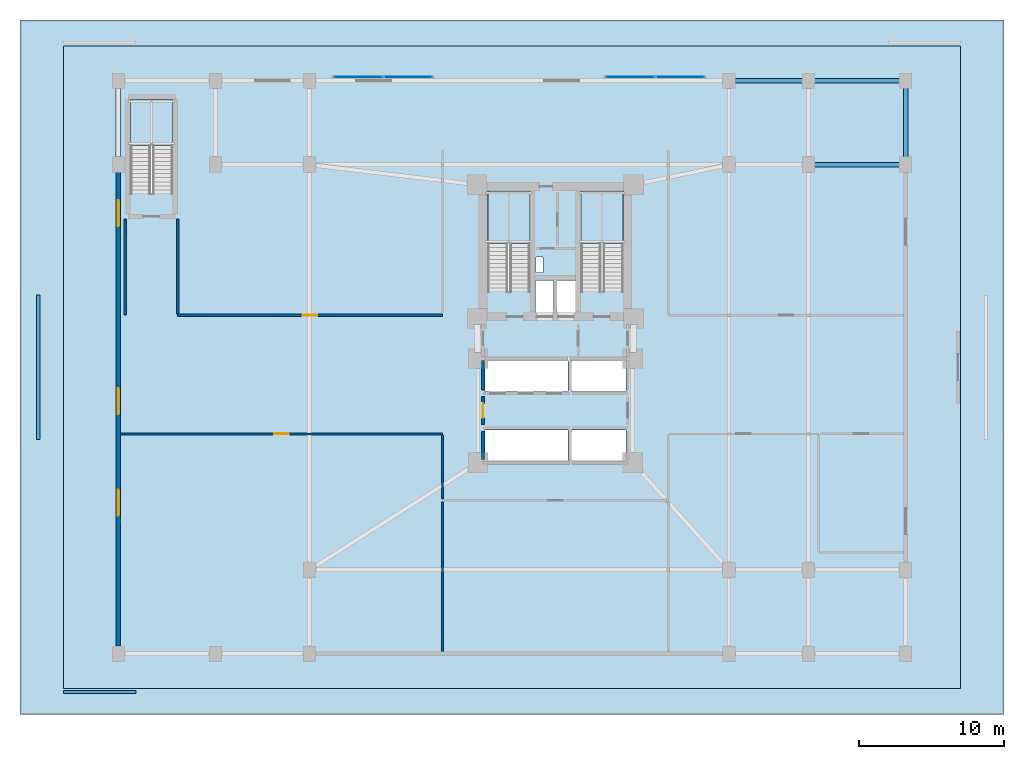
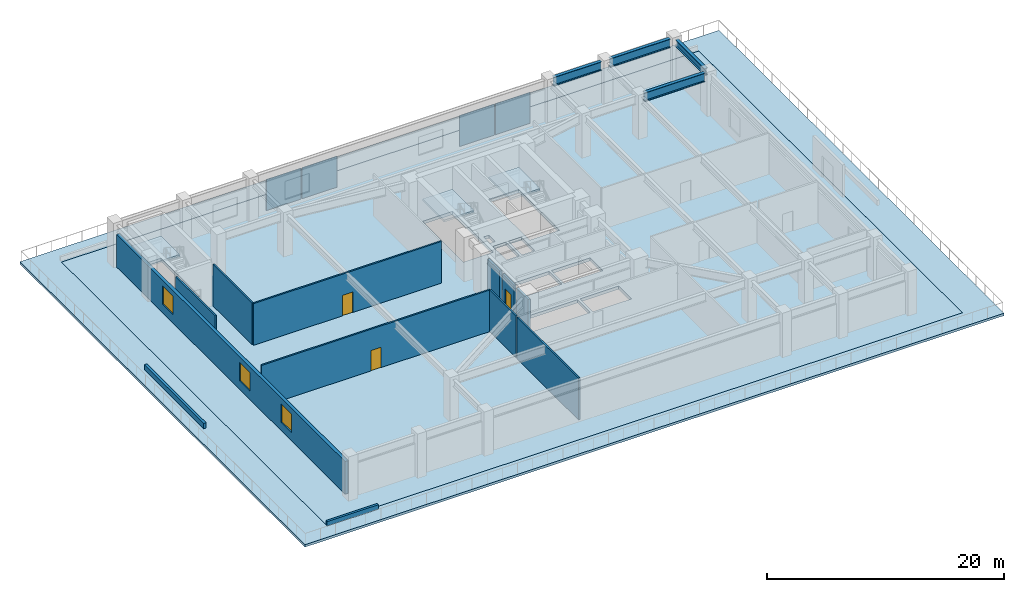
# One storey, part 5 of 10: 12 walls, 5 slabs, 4 beams, 4 plates, 3 doors, 3 windows, 6 openings, 5 elements without a shape of their own.
"""IFC4 building model written with IfcOpenShell, lengths in metres."""

import ifcopenshell
import ifcopenshell.guid

model = None  # the IFC model being written
_history = None  # IfcOwnerHistory: only IFC2X3 demands one
_inside = {}  # id of a spatial element -> (the spatial element, [elements in it])
_under = {}  # id of a project, library or spatial element -> (it, [spatial elements below it])
_declared = {}  # id of a project -> (the project, [libraries it declares])
_typed = {}  # id of a type object -> (the type object, [elements of that type])
_made_of = {}  # id of a material, layer set ... -> (it, [elements and type objects made of it])


def new_model(schema):
    """Start an empty IFC model of exactly this schema.

    Asked for "IFC4X3", IfcOpenShell would pick the latest addendum, in which some entities
    have other attributes; the version numbers below select the first issue.
    IFC2X3 requires an IfcOwnerHistory on every rooted entity: one is made here for all.
    """
    global model, _history
    if schema == "IFC4X3":
        model = ifcopenshell.file(schema_version=(4, 3, 0, 0))
    else:
        model = ifcopenshell.file(schema=schema)
    _inside.clear()
    _under.clear()
    _declared.clear()
    _typed.clear()
    _made_of.clear()
    _history = None
    if model.schema == "IFC2X3":
        org = make("IfcOrganization", Name="unknown")
        user = make(
            "IfcPersonAndOrganization",
            ThePerson=make("IfcPerson", FamilyName="unknown"),
            TheOrganization=org,
        )
        app = make(
            "IfcApplication",
            ApplicationDeveloper=org,
            Version="unknown",
            ApplicationFullName="unknown",
            ApplicationIdentifier="unknown",
        )
        _history = make(
            "IfcOwnerHistory",
            OwningUser=user,
            OwningApplication=app,
            ChangeAction="ADDED",
            CreationDate=0,
        )
    return model


def make(cls, **values):
    """One entity of the class cls with the attributes given. An attribute that is None is left unset."""
    return model.create_entity(
        cls, **{name: value for name, value in values.items() if value is not None}
    )


def rooted(cls, **values):
    """An entity with a GlobalId (a new one), such as an element, a storey or a relation."""
    return make(cls, GlobalId=ifcopenshell.guid.new(), OwnerHistory=_history, **values)


def si_unit(unit_type, name, prefix=None):
    """IfcSIUnit, for example si_unit("LENGTHUNIT", "METRE", prefix="MILLI")."""
    return make("IfcSIUnit", UnitType=unit_type, Prefix=prefix, Name=name)


def assignment(units):
    """IfcUnitAssignment: the units of a project."""
    return None if units is None else make("IfcUnitAssignment", Units=units)


def point(xyz):
    """IfcCartesianPoint."""
    return None if xyz is None else make("IfcCartesianPoint", Coordinates=xyz)


def direction(xyz):
    """IfcDirection."""
    return None if xyz is None else make("IfcDirection", DirectionRatios=xyz)


def frame(location, z_axis=None, x_axis=None):
    """IfcAxis2Placement3D, a coordinate frame: its origin and axes. An axis left out is left unset."""
    return make(
        "IfcAxis2Placement3D",
        Location=point(location),
        Axis=direction(z_axis),
        RefDirection=direction(x_axis),
    )


def frame_2d(location, x_axis=None):
    """IfcAxis2Placement2D, a coordinate frame in the plane: its origin and x axis."""
    return make(
        "IfcAxis2Placement2D", Location=point(location), RefDirection=direction(x_axis)
    )


def origin():
    """The frame at (0, 0, 0) with its axes left unset."""
    return frame((0.0, 0.0, 0.0))


def origin_2d():
    """The frame at (0, 0) in the plane with its x axis left unset."""
    return frame_2d((0.0, 0.0))


def place(relative_to, where):
    """IfcLocalPlacement: puts the frame where relative to a parent placement (None: the world)."""
    return make(
        "IfcLocalPlacement", PlacementRelTo=relative_to, RelativePlacement=where
    )


def context(
    kind, dimensions, precision=None, world=None, true_north=None, identifier=None
):
    """IfcGeometricRepresentationContext, for example the 3D "Model" context."""
    return make(
        "IfcGeometricRepresentationContext",
        ContextIdentifier=identifier,
        ContextType=kind,
        CoordinateSpaceDimension=dimensions,
        Precision=precision,
        WorldCoordinateSystem=world,
        TrueNorth=true_north,
    )


def subcontext(parent, identifier, kind, view, scale=None):
    """IfcGeometricRepresentationSubContext, for example "Body" below "Model"."""
    return make(
        "IfcGeometricRepresentationSubContext",
        ContextIdentifier=identifier,
        ContextType=kind,
        ParentContext=parent,
        TargetScale=scale,
        TargetView=view,
    )


def project(units=None, contexts=None):
    """IfcProject with its units and contexts."""
    return rooted(
        "IfcProject",
        Name="project",
        RepresentationContexts=contexts,
        UnitsInContext=assignment(units),
    )


def spatial(cls, under=None, at=None, **own):
    """A site, building, storey or space (cls), placed at a placement, below another one or the project."""
    s = rooted(cls, ObjectPlacement=at, **own)
    if under is not None:
        _under.setdefault(under.id(), (under, []))[1].append(s)
    return s


def polyline(points):
    """IfcPolyline through the points."""
    return make("IfcPolyline", Points=[point(p) for p in points])


def profile(cls, at=None, kind="AREA", **sizes):
    """A parametric profile (cls). Its sizes go by their IFC names, for example OverallWidth=200.0."""
    return make(cls, ProfileType=kind, Position=at, **sizes)


def rectangle(**sizes):
    """IfcRectangleProfileDef."""
    return profile("IfcRectangleProfileDef", **sizes)


def i_section(**sizes):
    """IfcIShapeProfileDef."""
    return profile("IfcIShapeProfileDef", **sizes)


def outline(outer, holes=None, kind="AREA"):
    """IfcArbitraryClosedProfileDef: a profile drawn as a closed curve; with holes, ...WithVoids."""
    if holes is None:
        return make("IfcArbitraryClosedProfileDef", ProfileType=kind, OuterCurve=outer)
    return make(
        "IfcArbitraryProfileDefWithVoids",
        ProfileType=kind,
        OuterCurve=outer,
        InnerCurves=holes,
    )


def extrude(swept, where, along, depth):
    """IfcExtrudedAreaSolid: the profile swept, set in the frame where, extruded along a direction by depth."""
    return make(
        "IfcExtrudedAreaSolid",
        SweptArea=swept,
        Position=where,
        ExtrudedDirection=direction(along),
        Depth=depth,
    )


def shape(context_of_items, identifier, shape_type, items):
    """IfcShapeRepresentation: the items that make up one representation, for example the "Body"."""
    return make(
        "IfcShapeRepresentation",
        ContextOfItems=context_of_items,
        RepresentationIdentifier=identifier,
        RepresentationType=shape_type,
        Items=items,
    )


def source(mapping_origin, context_of_items, identifier, shape_type, items):
    """IfcRepresentationMap: a shape defined once, which mapped items show again and again."""
    return make(
        "IfcRepresentationMap",
        MappingOrigin=mapping_origin,
        MappedRepresentation=shape(context_of_items, identifier, shape_type, items),
    )


def transform(
    local_origin,
    x_axis=None,
    y_axis=None,
    z_axis=None,
    scale=None,
    scale2=None,
    scale3=None,
    uniform=True,
):
    """IfcCartesianTransformationOperator3D, or its non-uniform kind. x_axis, y_axis, z_axis: its Axis1, 2, 3."""
    if uniform:
        return make(
            "IfcCartesianTransformationOperator3D",
            Axis1=direction(x_axis),
            Axis2=direction(y_axis),
            LocalOrigin=point(local_origin),
            Scale=scale,
            Axis3=direction(z_axis),
        )
    return make(
        "IfcCartesianTransformationOperator3DnonUniform",
        Axis1=direction(x_axis),
        Axis2=direction(y_axis),
        LocalOrigin=point(local_origin),
        Scale=scale,
        Axis3=direction(z_axis),
        Scale2=scale2,
        Scale3=scale3,
    )


def mapped(mapping_source, mapping_target):
    """IfcMappedItem: shows the shape of a source again, moved by a transform."""
    return make(
        "IfcMappedItem", MappingSource=mapping_source, MappingTarget=mapping_target
    )


def material(Name=None, Category=None):
    """IfcMaterial."""
    return make("IfcMaterial", Name=Name, Category=Category)


def layer(
    of_material, thickness, ventilated=None, Name=None, Category=None, Priority=None
):
    """IfcMaterialLayer: one layer of a wall or slab, of a material (None: an air gap)."""
    return make(
        "IfcMaterialLayer",
        Material=of_material,
        LayerThickness=thickness,
        IsVentilated=ventilated,
        Name=Name,
        Category=Category,
        Priority=Priority,
    )


def layer_set(layers, Name=None):
    """IfcMaterialLayerSet."""
    return make("IfcMaterialLayerSet", MaterialLayers=layers, LayerSetName=Name)


def material_profile(
    of_material, cross_section, Name=None, Category=None, Priority=None
):
    """IfcMaterialProfile: a cross section and its material."""
    return make(
        "IfcMaterialProfile",
        Name=Name,
        Material=of_material,
        Profile=cross_section,
        Priority=Priority,
        Category=Category,
    )


def profile_set(profiles, Name=None, composite=None):
    """IfcMaterialProfileSet."""
    return make(
        "IfcMaterialProfileSet",
        Name=Name,
        MaterialProfiles=profiles,
        CompositeProfile=composite,
    )


def made_of(thing, what):
    """Note that an element or type object is made of a material, layer set ...; save() writes the relation."""
    if what is not None:
        _made_of.setdefault(what.id(), (what, []))[1].append(thing)
    return thing


def type_object(cls, material=None, **own):
    """A type object (cls), such as IfcWallType, which elements share."""
    return made_of(rooted(cls, **own), material)


def type_shapes(of_type, sources):
    """Give a type object the sources (RepresentationMaps) that its elements show as mapped items."""
    of_type.RepresentationMaps = sources


def element(
    cls,
    number,
    at=None,
    inside=None,
    cuts=None,
    type_object=None,
    material=None,
    context=None,
    identifier="Body",
    shape_type=None,
    held_by="IfcProductDefinitionShape",
    body=None,
    shapes=None,
    **own,
):
    """One element of the class cls, such as IfcWall. Its Tag is "e" and its number.

    at: its placement. inside: the storey or other place that contains it. cuts: it is an
    opening in that element (IfcRelVoidsElement). A single representation is given by context,
    identifier, shape_type and body (its items); several are given by shapes. held_by: the class
    of the entity that holds the representations. save() writes the other relations.
    """
    e = rooted(cls, Tag="e%d" % number, ObjectPlacement=at, **own)
    if body is not None:
        shapes = [shape(context, identifier, shape_type, body)]
    if shapes is not None:
        e.Representation = make(held_by, Representations=shapes)
    if inside is not None:
        _inside.setdefault(inside.id(), (inside, []))[1].append(e)
    if cuts is not None:
        rooted(
            "IfcRelVoidsElement", RelatingBuildingElement=cuts, RelatedOpeningElement=e
        )
    if type_object is not None:
        _typed.setdefault(type_object.id(), (type_object, []))[1].append(e)
    return made_of(e, material)


def fill(opening, filler):
    """IfcRelFillsElement: the door or window that sits in an opening."""
    return rooted(
        "IfcRelFillsElement",
        RelatingOpeningElement=opening,
        RelatedBuildingElement=filler,
    )


def aggregate(whole, parts):
    """IfcRelAggregates: a whole, such as a stair, and the parts it consists of."""
    return rooted("IfcRelAggregates", RelatingObject=whole, RelatedObjects=parts)


def save(model, path):
    """Write the relations noted so far, then the file.

    IfcRelAggregates (storeys below a building ...), IfcRelContainedInSpatialStructure (elements
    in a storey), IfcRelDefinesByType, IfcRelAssociatesMaterial and IfcRelDeclares: one each for
    every whole, place, type object, material and project.
    """
    for whole, parts in _under.values():
        aggregate(whole, parts)
    for where, things in _inside.values():
        rooted(
            "IfcRelContainedInSpatialStructure",
            RelatedElements=things,
            RelatingStructure=where,
        )
    for kind, things in _typed.values():
        rooted("IfcRelDefinesByType", RelatedObjects=things, RelatingType=kind)
    for what, things in _made_of.values():
        rooted("IfcRelAssociatesMaterial", RelatedObjects=things, RelatingMaterial=what)
    for by, libraries in _declared.values():
        rooted("IfcRelDeclares", RelatingContext=by, RelatedDefinitions=libraries)
    model.write(path)


model = new_model("IFC4")

# Units and contexts
model_context = context("Model", 3, precision=1e-05, world=origin(), true_north=direction((0.0, 1.0)))
body_context = subcontext(model_context, "Body", "Model", "MODEL_VIEW")
ifc_project = project(units=[si_unit("LENGTHUNIT", "METRE"), si_unit("AREAUNIT", "SQUARE_METRE"), si_unit("VOLUMEUNIT", "CUBIC_METRE"), si_unit("PLANEANGLEUNIT", "RADIAN"), si_unit("MASSUNIT", "GRAM", prefix="KILO")], contexts=[model_context])

# Site, building, storey
site_placement = place(None, origin())
site = spatial("IfcSite", under=ifc_project, at=site_placement, CompositionType="ELEMENT")
building_placement = place(site_placement, origin())
building = spatial("IfcBuilding", under=site, at=building_placement, Name="Varnakorn Sky Granary", CompositionType="ELEMENT")
storey_placement = place(building_placement, frame((0.0, 0.0, 9.199951171875)))
storey = spatial("IfcBuildingStorey", under=building, at=storey_placement, Name="L02", CompositionType="ELEMENT", Elevation=9.199951171875)

# Beams
ifc_material_1 = material(Name="Steel S355JR", Category="steel")
ifc_material_profile_1 = material_profile(ifc_material_1, i_section(OverallWidth=0.300048828125, OverallDepth=0.699951171875, WebThickness=0.01708984375, FlangeThickness=0.031982421875, at=origin_2d()), Name="HE 700 B")
ifc_profile_set_1 = profile_set([ifc_material_profile_1], Name="Steel S355JR")
beam_type_1 = type_object("IfcBeamType", Name="BM-PG-700", PredefinedType="T_BEAM", material=ifc_profile_set_1)
beam_1_placement = place(storey_placement, frame((27.199951171875, 14.419921875, 3.929931640625), z_axis=(0.0, 1.0, 0.0), x_axis=(-1.0, 0.0, 0.0)))
element("IfcBeam", 1, at=beam_1_placement, inside=storey, type_object=beam_type_1, Name="Podium Y-Girder GY31 L02", PredefinedType="T_BEAM", context=body_context, shape_type="SweptSolid", body=[
    extrude(i_section(OverallWidth=0.300048828125, OverallDepth=0.699951171875, WebThickness=0.01708984375, FlangeThickness=0.031982421875, at=origin_2d()), origin(), (0.0, 0.0, 1.0), 4.9599609375),
])
ifc_material_profile_2 = material_profile(ifc_material_1, i_section(OverallWidth=0.300048828125, OverallDepth=0.89990234375, WebThickness=0.0185546875, FlangeThickness=0.034912109375, at=origin_2d()), Name="HE 900 B")
ifc_profile_set_2 = profile_set([ifc_material_profile_2], Name="Steel S355JR")
beam_type_2 = type_object("IfcBeamType", Name="BM-PG-900", PredefinedType="BEAM", material=ifc_profile_set_2)
beam_2_placement = place(storey_placement, frame((20.919921875, 14.0, 3.830078125), z_axis=(1.0, 0.0, 0.0), x_axis=(0.0, 1.0, 0.0)))
element("IfcBeam", 2, at=beam_2_placement, inside=storey, type_object=beam_type_2, Name="Podium X-Girder GX12 L02", PredefinedType="BEAM", context=body_context, shape_type="SweptSolid", body=[
    extrude(i_section(OverallWidth=0.300048828125, OverallDepth=0.89990234375, WebThickness=0.0185546875, FlangeThickness=0.034912109375, at=origin_2d()), origin(), (0.0, 0.0, 1.0), 5.860107421875),
])
beam_3_placement = place(storey_placement, frame((15.419921875, 19.800048828125, 3.830078125), z_axis=(1.0, 0.0, 0.0), x_axis=(0.0, 1.0, 0.0)))
element("IfcBeam", 3, at=beam_3_placement, inside=storey, type_object=beam_type_2, Name="Podium X-Girder GX16 L02", PredefinedType="BEAM", context=body_context, shape_type="SweptSolid", body=[
    extrude(i_section(OverallWidth=0.300048828125, OverallDepth=0.89990234375, WebThickness=0.0185546875, FlangeThickness=0.034912109375, at=origin_2d()), origin(), (0.0, 0.0, 1.0), 4.66015625),
])
beam_4_placement = place(storey_placement, frame((20.919921875, 19.800048828125, 3.830078125), z_axis=(1.0, 0.0, 0.0), x_axis=(0.0, 1.0, 0.0)))
element("IfcBeam", 4, at=beam_4_placement, inside=storey, type_object=beam_type_2, Name="Podium X-Girder GX17 L02", PredefinedType="BEAM", context=body_context, shape_type="SweptSolid", body=[
    extrude(i_section(OverallWidth=0.300048828125, OverallDepth=0.89990234375, WebThickness=0.0185546875, FlangeThickness=0.034912109375, at=origin_2d()), origin(), (0.0, 0.0, 1.0), 5.860107421875),
])

# Stair, slab
ifc_material_2 = material(Name="Concrete C40/50", Category="concrete")
stair_type = type_object("IfcStairType", Name="ST-MAIN-ASSEMBLY", PredefinedType="HALF_TURN_STAIR", material=ifc_material_2)
stair_1_placement = place(storey_placement, origin())
stair_1 = element("IfcStair", 5, at=stair_1_placement, inside=storey, type_object=stair_type, Name="L02 Protected Exit Stair ST-1", PredefinedType="HALF_TURN_STAIR")
ifc_layer_1 = layer(ifc_material_2, 0.199951171875, Name="Concrete C40/50")
ifc_layer_set_1 = layer_set([ifc_layer_1], Name="Concrete C40/50")
slab_type_1 = type_object("IfcSlabType", Name="ST-MAIN-LAND", PredefinedType="LANDING", material=ifc_layer_set_1)
slab_1_placement = place(storey_placement, frame((0.0, 0.0, 2.10009765625)))
slab_1 = element("IfcSlab", 6, at=slab_1_placement, type_object=slab_type_1, Name="ST-1 landing 1", PredefinedType="LANDING", context=body_context, shape_type="SweptSolid", body=[
    extrude(outline(polyline([(1.239990234375, 8.56005859375), (1.239990234375, 12.179931640625), (-1.669921875, 12.179931640625), (-1.669921875, 8.56005859375), (1.239990234375, 8.56005859375)])), origin(), (0.0, 0.0, 1.0), 0.199951171875),
])
aggregate(stair_1, [slab_1])

stair_2_placement = place(storey_placement, origin())
stair_2 = element("IfcStair", 7, at=stair_2_placement, inside=storey, type_object=stair_type, Name="L02 Protected Exit Stair ST-2", PredefinedType="HALF_TURN_STAIR")
slab_2_placement = place(storey_placement, frame((0.0, 0.0, 2.10009765625)))
slab_2 = element("IfcSlab", 8, at=slab_2_placement, type_object=slab_type_1, Name="ST-2 landing 1", PredefinedType="LANDING", context=body_context, shape_type="SweptSolid", body=[
    extrude(outline(polyline([(7.679931640625, 8.56005859375), (7.679931640625, 12.179931640625), (4.77001953125, 12.179931640625), (4.77001953125, 8.56005859375), (7.679931640625, 8.56005859375)])), origin(), (0.0, 0.0, 1.0), 0.199951171875),
])
aggregate(stair_2, [slab_2])

stair_3_placement = place(storey_placement, origin())
stair_3 = element("IfcStair", 9, at=stair_3_placement, inside=storey, type_object=stair_type, Name="L02 Podium and Basement Protected Exit Stair ST-B3", PredefinedType="HALF_TURN_STAIR")
slab_3_placement = place(storey_placement, frame((0.0, 0.0, 2.10009765625)))
slab_3 = element("IfcSlab", 10, at=slab_3_placement, type_object=slab_type_1, Name="ST-B3 landing 1", PredefinedType="LANDING", context=body_context, shape_type="SweptSolid", body=[
    extrude(outline(polyline([(-23.449951171875, 15.340087890625), (-23.449951171875, 18.5), (-26.360107421875, 18.5), (-26.360107421875, 15.340087890625), (-23.449951171875, 15.340087890625)])), origin(), (0.0, 0.0, 1.0), 0.199951171875),
])
aggregate(stair_3, [slab_3])

# Slabs
ifc_material_3 = material(Name="Concrete C50/60", Category="concrete")
ifc_layer_2 = layer(ifc_material_3, 0.320068359375, Name="Concrete C50/60")
ifc_layer_set_2 = layer_set([ifc_layer_2], Name="Concrete C50/60")
slab_type_2 = type_object("IfcSlabType", Name="ST-SL-POD-320", PredefinedType="FLOOR", material=ifc_layer_set_2)
slab_4_placement = place(storey_placement, frame((0.0, 0.0, -0.320068359375)))
element("IfcSlab", 11, at=slab_4_placement, inside=storey, type_object=slab_type_2, Name="Level L02 Structural Floor Slab", PredefinedType="FLOOR", context=body_context, shape_type="SweptSolid", body=[
    extrude(outline(polyline([(-31.0, -22.199951171875), (31.0, -22.199951171875), (31.0, 22.199951171875), (-31.0, 22.199951171875), (-31.0, -22.199951171875)]), holes=[polyline([(1.239990234375, 5.27490234375), (1.239990234375, 12.179931640625), (-1.669921875, 12.179931640625), (-1.669921875, 5.27490234375), (1.239990234375, 5.27490234375)]), polyline([(7.679931640625, 5.27490234375), (7.679931640625, 12.179931640625), (4.77001953125, 12.179931640625), (4.77001953125, 5.27490234375), (7.679931640625, 5.27490234375)]), polyline([(-23.449951171875, 12.054931640625), (-23.449951171875, 18.5), (-26.360107421875, 18.5), (-26.360107421875, 12.054931640625), (-23.449951171875, 12.054931640625)]), polyline([(1.659912109375, 6.550048828125), (2.14990234375, 6.550048828125), (2.14990234375, 7.6201171875), (1.659912109375, 7.6201171875), (1.659912109375, 6.550048828125)]), polyline([(1.6201171875, 3.739990234375), (2.8798828125, 3.739990234375), (2.8798828125, 6.010009765625), (1.6201171875, 6.010009765625), (1.6201171875, 3.739990234375)]), polyline([(3.1201171875, 3.739990234375), (4.3798828125, 3.739990234375), (4.3798828125, 6.010009765625), (3.1201171875, 6.010009765625), (3.1201171875, 3.739990234375)]), polyline([(-1.8798828125, -1.679931640625), (3.8798828125, -1.679931640625), (3.8798828125, 0.47998046875), (-1.8798828125, 0.47998046875), (-1.8798828125, -1.679931640625)]), polyline([(4.1201171875, -1.679931640625), (7.8798828125, -1.679931640625), (7.8798828125, 0.47998046875), (4.1201171875, 0.47998046875), (4.1201171875, -1.679931640625)]), polyline([(-1.8798828125, -6.47998046875), (3.8798828125, -6.47998046875), (3.8798828125, -4.320068359375), (-1.8798828125, -4.320068359375), (-1.8798828125, -6.47998046875)]), polyline([(4.1201171875, -6.47998046875), (7.8798828125, -6.47998046875), (7.8798828125, -4.320068359375), (4.1201171875, -4.320068359375), (4.1201171875, -6.47998046875)])]), origin(), (0.0, 0.0, 1.0), 0.320068359375),
])
ifc_layer_3 = layer(ifc_material_3, 0.25, Name="Concrete C50/60")
ifc_layer_set_3 = layer_set([ifc_layer_3], Name="Concrete C50/60")
slab_type_3 = type_object("IfcSlabType", Name="ST-SL-TERR-250", PredefinedType="FLOOR", material=ifc_layer_set_3)
slab_5_placement = place(storey_placement, frame((0.0, 0.0, -0.25)))
element("IfcSlab", 12, at=slab_5_placement, inside=storey, type_object=slab_type_3, Name="Cascading Planted Garden Terrace L02", PredefinedType="FLOOR", context=body_context, shape_type="SweptSolid", body=[
    extrude(outline(polyline([(-34.0, -24.0), (34.0, -24.0), (34.0, 24.0), (-34.0, 24.0), (-34.0, -24.0)]), holes=[polyline([(-31.0, -22.199951171875), (31.0, -22.199951171875), (31.0, 22.199951171875), (-31.0, 22.199951171875), (-31.0, -22.199951171875)])]), origin(), (0.0, 0.0, 1.0), 0.25),
])

# Curtain wall, plates
ifc_material_4 = material(Name="Anodised Bronze Aluminium Alloy 6063-T6", Category="aluminium")
ifc_layer_4 = layer(ifc_material_4, 0.219970703125, Name="Anodised Bronze Aluminium Alloy 6063-T6")
ifc_layer_set_4 = layer_set([ifc_layer_4], Name="Anodised Bronze Aluminium Alloy 6063-T6")
curtain_wall_type = type_object("IfcCurtainWallType", Name="CW-POD-1", PredefinedType="USERDEFINED", material=ifc_layer_set_4)
curtain_wall_1_placement = place(storey_placement, origin())
curtain_wall_1 = element("IfcCurtainWall", 13, at=curtain_wall_1_placement, inside=storey, type_object=curtain_wall_type, Name="Unitised Curtain Wall CW1 CW-L02-P1", ObjectType="CURTAIN WALL", PredefinedType="USERDEFINED")
ifc_material_5 = material(Name="Low-E Tinted Laminated Glass", Category="glass")
ifc_layer_5 = layer(ifc_material_5, 0.031982421875, Name="Low-E Tinted Laminated Glass")
ifc_layer_set_5 = layer_set([ifc_layer_5], Name="Low-E Tinted Laminated Glass")
plate_type = type_object("IfcPlateType", Name="CW-POD-1-PNL", PredefinedType="CURTAIN_PANEL")
shared_shape = source(origin(), body_context, "Body", "SweptSolid", [
    extrude(rectangle(XDim=3.387451171875, YDim=0.031982421875, at=origin_2d()), origin(), (0.0, 0.0, 1.0), 3.199951171875),
])
type_shapes(plate_type, [shared_shape])
plate_1_placement = place(storey_placement, frame((-10.63134765625, 20.050048828125, 0.0751953125), z_axis=(0.0, 0.0, 1.0), x_axis=(1.0, 0.0, 0.0)))
plate_1 = element("IfcPlate", 14, at=plate_1_placement, type_object=plate_type, material=ifc_layer_set_5, Name="CW1 vision glazing unit 1.1", PredefinedType="CURTAIN_PANEL", context=body_context, shape_type="MappedRepresentation", body=[
    mapped(shared_shape, transform((0.0, 0.0, 0.0), x_axis=(1.0, 0.0, 0.0), y_axis=(0.0, 1.0, 0.0), z_axis=(0.0, 0.0, 1.0), scale=1.0)),
])
plate_2_placement = place(storey_placement, frame((-7.168701171875, 20.050048828125, 0.0751953125), z_axis=(0.0, 0.0, 1.0), x_axis=(1.0, 0.0, 0.0)))
plate_2 = element("IfcPlate", 15, at=plate_2_placement, type_object=plate_type, material=ifc_layer_set_5, Name="CW1 vision glazing unit 2.1", PredefinedType="CURTAIN_PANEL", context=body_context, shape_type="MappedRepresentation", body=[
    mapped(shared_shape, transform((0.0, 0.0, 0.0), x_axis=(1.0, 0.0, 0.0), y_axis=(0.0, 1.0, 0.0), z_axis=(0.0, 0.0, 1.0), scale=1.0)),
])
aggregate(curtain_wall_1, [plate_1, plate_2])

curtain_wall_2_placement = place(storey_placement, origin())
curtain_wall_2 = element("IfcCurtainWall", 16, at=curtain_wall_2_placement, inside=storey, type_object=curtain_wall_type, Name="Unitised Curtain Wall CW1 CW-L02-P2", ObjectType="CURTAIN WALL", PredefinedType="USERDEFINED")
plate_3_placement = place(storey_placement, frame((8.168701171875, 20.050048828125, 0.0751953125), z_axis=(0.0, 0.0, 1.0), x_axis=(1.0, 0.0, 0.0)))
plate_3 = element("IfcPlate", 17, at=plate_3_placement, type_object=plate_type, material=ifc_layer_set_5, Name="CW1 vision glazing unit 1.1", PredefinedType="CURTAIN_PANEL", context=body_context, shape_type="MappedRepresentation", body=[
    mapped(shared_shape, transform((0.0, 0.0, 0.0), x_axis=(1.0, 0.0, 0.0), y_axis=(0.0, 1.0, 0.0), z_axis=(0.0, 0.0, 1.0), scale=1.0)),
])
plate_4_placement = place(storey_placement, frame((11.63134765625, 20.050048828125, 0.0751953125), z_axis=(0.0, 0.0, 1.0), x_axis=(1.0, 0.0, 0.0)))
plate_4 = element("IfcPlate", 18, at=plate_4_placement, type_object=plate_type, material=ifc_layer_set_5, Name="CW1 vision glazing unit 2.1", PredefinedType="CURTAIN_PANEL", context=body_context, shape_type="MappedRepresentation", body=[
    mapped(shared_shape, transform((0.0, 0.0, 0.0), x_axis=(1.0, 0.0, 0.0), y_axis=(0.0, 1.0, 0.0), z_axis=(0.0, 0.0, 1.0), scale=1.0)),
])
aggregate(curtain_wall_2, [plate_3, plate_4])

# Wall, openings, windows
ifc_material_6 = material(Name="Precast concrete C40/50", Category="concrete")
ifc_layer_6 = layer(ifc_material_6, 0.300048828125, Name="Precast concrete C40/50")
ifc_layer_set_6 = layer_set([ifc_layer_6], Name="Precast concrete C40/50")
wall_type_1 = type_object("IfcWallType", Name="WT-EW-POD-300", PredefinedType="SOLIDWALL", material=ifc_layer_set_6)
wall_1_placement = place(storey_placement, frame((-27.199951171875, -19.2548828125, 0.0), z_axis=(0.0, 0.0, 1.0), x_axis=(0.0, 1.0, 0.0)))
wall_1 = element("IfcWall", 19, at=wall_1_placement, inside=storey, type_object=wall_type_1, Name="Podium Exterior Facade Wall L02-W", PredefinedType="SOLIDWALL", context=body_context, shape_type="SweptSolid", body=[
    extrude(rectangle(XDim=38.509765625, YDim=0.300048828125, at=frame_2d((19.2548828125, 0.0))), origin(), (0.0, 0.0, 1.0), 3.35009765625),
])
opening_1_placement = place(wall_1_placement, frame((9.0, 0.0, 0.85009765625)))
opening_1 = element("IfcOpeningElement", 20, at=opening_1_placement, cuts=wall_1, Name="Opening WN-02", PredefinedType="OPENING", context=body_context, shape_type="SweptSolid", body=[
    extrude(rectangle(XDim=1.800048828125, YDim=1.89990234375, at=frame_2d((0.89990234375, 0.949951171875))), frame((0.0, 0.16015625, 0.0), z_axis=(0.0, -1.0, 0.0), x_axis=(1.0, 0.0, 0.0)), (0.0, 0.0, 1.0), 0.320068359375),
])
opening_2_placement = place(wall_1_placement, frame((16.0, 0.0, 0.85009765625)))
opening_2 = element("IfcOpeningElement", 21, at=opening_2_placement, cuts=wall_1, Name="Opening WN-02", PredefinedType="OPENING", context=body_context, shape_type="SweptSolid", body=[
    extrude(rectangle(XDim=1.800048828125, YDim=1.89990234375, at=frame_2d((0.89990234375, 0.949951171875))), frame((0.0, 0.16015625, 0.0), z_axis=(0.0, -1.0, 0.0), x_axis=(1.0, 0.0, 0.0)), (0.0, 0.0, 1.0), 0.320068359375),
])
opening_3_placement = place(wall_1_placement, frame((29.0, 0.0, 0.85009765625)))
opening_3 = element("IfcOpeningElement", 22, at=opening_3_placement, cuts=wall_1, Name="Opening WN-02", PredefinedType="OPENING", context=body_context, shape_type="SweptSolid", body=[
    extrude(rectangle(XDim=1.800048828125, YDim=1.89990234375, at=frame_2d((0.89990234375, 0.949951171875))), frame((0.0, 0.16015625, 0.0), z_axis=(0.0, -1.0, 0.0), x_axis=(1.0, 0.0, 0.0)), (0.0, 0.0, 1.0), 0.320068359375),
])
window_type = type_object("IfcWindowType", Name="WN-POD-1800", PartitioningType="SINGLE_PANEL", PredefinedType="WINDOW", material=ifc_material_5)
window_1_placement = place(opening_1_placement, origin())
window_1 = element("IfcWindow", 23, at=window_1_placement, inside=storey, type_object=window_type, Name="Podium Facade Window L02-W", OverallHeight=1.89990234375, OverallWidth=1.800048828125, PartitioningType="SINGLE_PANEL", PredefinedType="WINDOW", context=body_context, shape_type="SweptSolid", body=[
    extrude(rectangle(XDim=1.800048828125, YDim=1.89990234375, at=frame_2d((0.89990234375, 0.949951171875))), frame((0.0, 0.030029296875, 0.0), z_axis=(0.0, -1.0, 0.0), x_axis=(1.0, 0.0, 0.0)), (0.0, 0.0, 1.0), 0.06005859375),
])
fill(opening_1, window_1)
window_2_placement = place(opening_2_placement, origin())
window_2 = element("IfcWindow", 24, at=window_2_placement, inside=storey, type_object=window_type, Name="Podium Facade Window L02-W", OverallHeight=1.89990234375, OverallWidth=1.800048828125, PartitioningType="SINGLE_PANEL", PredefinedType="WINDOW", context=body_context, shape_type="SweptSolid", body=[
    extrude(rectangle(XDim=1.800048828125, YDim=1.89990234375, at=frame_2d((0.89990234375, 0.949951171875))), frame((0.0, 0.030029296875, 0.0), z_axis=(0.0, -1.0, 0.0), x_axis=(1.0, 0.0, 0.0)), (0.0, 0.0, 1.0), 0.06005859375),
])
fill(opening_2, window_2)
window_3_placement = place(opening_3_placement, origin())
window_3 = element("IfcWindow", 25, at=window_3_placement, inside=storey, type_object=window_type, Name="Podium Facade Window L02-W", OverallHeight=1.89990234375, OverallWidth=1.800048828125, PartitioningType="SINGLE_PANEL", PredefinedType="WINDOW", context=body_context, shape_type="SweptSolid", body=[
    extrude(rectangle(XDim=1.800048828125, YDim=1.89990234375, at=frame_2d((0.89990234375, 0.949951171875))), frame((0.0, 0.030029296875, 0.0), z_axis=(0.0, -1.0, 0.0), x_axis=(1.0, 0.0, 0.0)), (0.0, 0.0, 1.0), 0.06005859375),
])
fill(opening_3, window_3)

# Wall, opening, door
ifc_material_7 = material(Name="Autoclaved Aerated Concrete Blockwork", Category="masonry")
ifc_layer_7 = layer(ifc_material_7, 0.199951171875, Name="Autoclaved Aerated Concrete Blockwork")
ifc_layer_set_7 = layer_set([ifc_layer_7], Name="Autoclaved Aerated Concrete Blockwork")
wall_type_2 = type_object("IfcWallType", Name="WT-FIRE-200", PredefinedType="MOVABLE", material=ifc_layer_set_7)
wall_2_placement = place(storey_placement, frame((-2.0, -3.969970703125, 0.0), z_axis=(0.0, 0.0, 1.0), x_axis=(0.0, 1.0, 0.0)))
wall_2 = element("IfcWall", 26, at=wall_2_placement, inside=storey, type_object=wall_type_2, Name="Interior Partition Wall L02-020", PredefinedType="MOVABLE", context=body_context, shape_type="SweptSolid", body=[
    extrude(rectangle(XDim=1.93994140625, YDim=0.199951171875, at=frame_2d((0.969970703125, 0.0))), origin(), (0.0, 0.0, 1.0), 3.362060546875),
])
opening_4_placement = place(wall_2_placement, frame((0.469970703125, 0.0, 0.0)))
opening_4 = element("IfcOpeningElement", 27, at=opening_4_placement, cuts=wall_2, Name="Opening FD-60", PredefinedType="OPENING", context=body_context, shape_type="SweptSolid", body=[
    extrude(rectangle(XDim=1.0, YDim=2.10009765625, at=frame_2d((0.5, 1.050048828125))), frame((0.0, 0.10986328125, 0.0), z_axis=(0.0, -1.0, 0.0), x_axis=(1.0, 0.0, 0.0)), (0.0, 0.0, 1.0), 0.219970703125),
])
ifc_material_8 = material(Name="Acoustic Timber Fire Leaf", Category="wood")
door_type_1 = type_object("IfcDoorType", Name="DR-FD60-1000", OperationType="NOTDEFINED", PredefinedType="DOOR", material=ifc_material_8)
door_1_placement = place(opening_4_placement, origin())
door_1 = element("IfcDoor", 28, at=door_1_placement, inside=storey, type_object=door_type_1, Name="Interior Door L02-020-1", OperationType="SINGLE_SWING_RIGHT", OverallHeight=2.10009765625, OverallWidth=1.0, PredefinedType="DOOR", context=body_context, shape_type="SweptSolid", body=[
    extrude(rectangle(XDim=1.0, YDim=2.10009765625, at=frame_2d((0.5, 1.050048828125))), frame((0.0, 0.02490234375, 0.0), z_axis=(0.0, -1.0, 0.0), x_axis=(1.0, 0.0, 0.0)), (0.0, 0.0, 1.0), 0.050048828125),
])
fill(opening_4, door_1)

ifc_material_9 = material(Name="Gypsum Plasterboard on Steel Stud", Category="steel")
ifc_layer_8 = layer(ifc_material_9, 0.14990234375, Name="Gypsum Plasterboard on Steel Stud")
ifc_layer_set_8 = layer_set([ifc_layer_8], Name="Gypsum Plasterboard on Steel Stud")
wall_type_3 = type_object("IfcWallType", Name="WT-PART-150", PredefinedType="PARTITIONING", material=ifc_layer_set_8)
wall_3_placement = place(storey_placement, frame((-4.800048828125, 3.60009765625, 0.0), z_axis=(0.0, 0.0, 1.0), x_axis=(-1.0, 0.0, 0.0)))
wall_3 = element("IfcWall", 29, at=wall_3_placement, inside=storey, type_object=wall_type_3, Name="Interior Partition Wall L02-022", PredefinedType="PARTITIONING", context=body_context, shape_type="SweptSolid", body=[
    extrude(rectangle(XDim=18.300048828125, YDim=0.14990234375, at=frame_2d((9.14990234375, 0.0))), origin(), (0.0, 0.0, 1.0), 4.280029296875),
])
opening_5_placement = place(wall_3_placement, frame((8.64990234375, 0.0, 0.0)))
opening_5 = element("IfcOpeningElement", 30, at=opening_5_placement, cuts=wall_3, Name="Opening ID-100", PredefinedType="OPENING", context=body_context, shape_type="SweptSolid", body=[
    extrude(rectangle(XDim=1.0, YDim=2.10009765625, at=frame_2d((0.5, 1.050048828125))), frame((0.0, 0.0849609375, 0.0), z_axis=(0.0, -1.0, 0.0), x_axis=(1.0, 0.0, 0.0)), (0.0, 0.0, 1.0), 0.169921875),
])
ifc_material_10 = material(Name="Solid-Core Teak Veneer Leaf", Category="timber")
door_type_2 = type_object("IfcDoorType", Name="DR-INT-1000", OperationType="NOTDEFINED", PredefinedType="DOOR", material=ifc_material_10)
door_2_placement = place(opening_5_placement, origin())
door_2 = element("IfcDoor", 31, at=door_2_placement, inside=storey, type_object=door_type_2, Name="Interior Door L02-022-1", OperationType="SINGLE_SWING_RIGHT", OverallHeight=2.10009765625, OverallWidth=1.0, PredefinedType="DOOR", context=body_context, shape_type="SweptSolid", body=[
    extrude(rectangle(XDim=1.0, YDim=2.10009765625, at=frame_2d((0.5, 1.050048828125))), frame((0.0, 0.02490234375, 0.0), z_axis=(0.0, -1.0, 0.0), x_axis=(1.0, 0.0, 0.0)), (0.0, 0.0, 1.0), 0.050048828125),
])
fill(opening_5, door_2)

wall_4_placement = place(storey_placement, frame((-27.050048828125, -4.60009765625, 0.0), z_axis=(0.0, 0.0, 1.0), x_axis=(1.0, 0.0, 0.0)))
wall_4 = element("IfcWall", 32, at=wall_4_placement, inside=storey, type_object=wall_type_3, Name="Interior Partition Wall L02-024", PredefinedType="PARTITIONING", context=body_context, shape_type="SweptSolid", body=[
    extrude(rectangle(XDim=22.25, YDim=0.14990234375, at=frame_2d((11.125, 0.0))), origin(), (0.0, 0.0, 1.0), 4.280029296875),
])
opening_6_placement = place(wall_4_placement, frame((10.625, 0.0, 0.0)))
opening_6 = element("IfcOpeningElement", 33, at=opening_6_placement, cuts=wall_4, Name="Opening ID-100", PredefinedType="OPENING", context=body_context, shape_type="SweptSolid", body=[
    extrude(rectangle(XDim=1.0, YDim=2.10009765625, at=frame_2d((0.5, 1.050048828125))), frame((0.0, 0.0849609375, 0.0), z_axis=(0.0, -1.0, 0.0), x_axis=(1.0, 0.0, 0.0)), (0.0, 0.0, 1.0), 0.169921875),
])
door_3_placement = place(opening_6_placement, origin())
door_3 = element("IfcDoor", 34, at=door_3_placement, inside=storey, type_object=door_type_2, Name="Interior Door L02-024-1", OperationType="SINGLE_SWING_RIGHT", OverallHeight=2.10009765625, OverallWidth=1.0, PredefinedType="DOOR", context=body_context, shape_type="SweptSolid", body=[
    extrude(rectangle(XDim=1.0, YDim=2.10009765625, at=frame_2d((0.5, 1.050048828125))), frame((0.0, 0.02490234375, 0.0), z_axis=(0.0, -1.0, 0.0), x_axis=(1.0, 0.0, 0.0)), (0.0, 0.0, 1.0), 0.050048828125),
])
fill(opening_6, door_3)

# Walls
wall_5_placement = place(storey_placement, frame((-23.10009765625, 3.68505859375, 0.0), z_axis=(0.0, 0.0, 1.0), x_axis=(0.0, 1.0, 0.0)))
element("IfcWall", 35, at=wall_5_placement, inside=storey, type_object=wall_type_3, Name="Interior Partition Wall L02-030", PredefinedType="PARTITIONING", context=body_context, shape_type="SweptSolid", body=[
    extrude(rectangle(XDim=6.56494140625, YDim=0.14990234375, at=frame_2d((3.282470703125, 0.0))), origin(), (0.0, 0.0, 1.0), 4.280029296875),
])
wall_6_placement = place(storey_placement, frame((-26.72998046875, 10.25, 0.0), z_axis=(0.0, 0.0, 1.0), x_axis=(0.0, -1.0, 0.0)))
element("IfcWall", 36, at=wall_6_placement, inside=storey, type_object=wall_type_3, Name="Interior Partition Wall L02-031", PredefinedType="PARTITIONING", context=body_context, shape_type="SweptSolid", body=[
    extrude(rectangle(XDim=6.64990234375, YDim=0.14990234375, at=frame_2d((3.324951171875, 0.0))), origin(), (0.0, 0.0, 1.0), 4.280029296875),
])
wall_7_placement = place(storey_placement, frame((-4.800048828125, -4.68505859375, 0.0), z_axis=(0.0, 0.0, 1.0), x_axis=(0.0, -1.0, 0.0)))
element("IfcWall", 37, at=wall_7_placement, inside=storey, type_object=wall_type_3, Name="Interior Partition Wall L02-033", PredefinedType="PARTITIONING", context=body_context, shape_type="SweptSolid", body=[
    extrude(rectangle(XDim=4.4150390625, YDim=0.14990234375, at=frame_2d((2.20751953125, 0.0))), origin(), (0.0, 0.0, 1.0), 4.280029296875),
])
wall_8_placement = place(storey_placement, frame((-4.800048828125, -9.300048828125, 0.0), z_axis=(0.0, 0.0, 1.0), x_axis=(0.0, -1.0, 0.0)))
element("IfcWall", 38, at=wall_8_placement, inside=storey, type_object=wall_type_3, Name="Interior Partition Wall L02-035", PredefinedType="PARTITIONING", context=body_context, shape_type="SweptSolid", body=[
    extrude(rectangle(XDim=10.349853515625, YDim=0.14990234375, at=frame_2d((5.1748046875, 0.0))), origin(), (0.0, 0.0, 1.0), 4.280029296875),
])
ifc_layer_9 = layer(ifc_material_7, 0.199951171875, Name="Autoclaved Aerated Concrete Blockwork")
ifc_layer_set_9 = layer_set([ifc_layer_9], Name="Autoclaved Aerated Concrete Blockwork")
wall_type_4 = type_object("IfcWallType", Name="WT-SHAFT-200", PredefinedType="SOLIDWALL", material=ifc_layer_set_9)
wall_9_placement = place(storey_placement, frame((-2.0, -1.570068359375, 0.0), z_axis=(0.0, 0.0, 1.0), x_axis=(0.0, 1.0, 0.0)))
element("IfcWall", 39, at=wall_9_placement, inside=storey, type_object=wall_type_4, Name="Interior Partition Wall L02-004", PredefinedType="SOLIDWALL", context=body_context, shape_type="SweptSolid", body=[
    extrude(rectangle(XDim=2.050048828125, YDim=0.199951171875, at=frame_2d((1.02490234375, 0.0))), origin(), (0.0, 0.0, 1.0), 3.362060546875),
])
wall_10_placement = place(storey_placement, frame((-2.0, -6.3701171875, 0.0), z_axis=(0.0, 0.0, 1.0), x_axis=(0.0, 1.0, 0.0)))
element("IfcWall", 40, at=wall_10_placement, inside=storey, type_object=wall_type_4, Name="Interior Partition Wall L02-010", PredefinedType="SOLIDWALL", context=body_context, shape_type="SweptSolid", body=[
    extrude(rectangle(XDim=1.940185546875, YDim=0.199951171875, at=frame_2d((0.97021484375, 0.0))), origin(), (0.0, 0.0, 1.0), 3.362060546875),
])
ifc_layer_10 = layer(ifc_material_6, 0.219970703125, Name="Precast concrete C40/50")
ifc_layer_set_10 = layer_set([ifc_layer_10], Name="Precast concrete C40/50")
wall_type_5 = type_object("IfcWallType", Name="WT-WP-PAR-220", PredefinedType="PARAPET", material=ifc_layer_set_10)
wall_11_placement = place(storey_placement, frame((-31.0, -22.449951171875, 0.0), z_axis=(0.0, 0.0, 1.0), x_axis=(1.0, 0.0, 0.0)))
element("IfcWall", 41, at=wall_11_placement, inside=storey, type_object=wall_type_5, Name="Terrace Upstand Curb Parapet L02-3", PredefinedType="PARAPET", context=body_context, shape_type="SweptSolid", body=[
    extrude(rectangle(XDim=5.0, YDim=0.219970703125, at=frame_2d((2.5, 0.0))), origin(), (0.0, 0.0, 1.0), 0.449951171875),
])
ifc_layer_11 = layer(ifc_material_6, 0.239990234375, Name="Precast concrete C40/50")
ifc_layer_set_11 = layer_set([ifc_layer_11], Name="Precast concrete C40/50")
wall_type_6 = type_object("IfcWallType", Name="WT-WP-PLN-240", PredefinedType="PARAPET", material=ifc_layer_set_11)
wall_12_placement = place(storey_placement, frame((-32.75, -5.0, 0.0), z_axis=(0.0, 0.0, 1.0), x_axis=(0.0, 1.0, 0.0)))
element("IfcWall", 42, at=wall_12_placement, inside=storey, type_object=wall_type_6, Name="Cascading Terrace Cultivar Planter Bed PLANTER L02-1", PredefinedType="PARAPET", context=body_context, shape_type="SweptSolid", body=[
    extrude(rectangle(XDim=10.0, YDim=0.239990234375, at=frame_2d((5.0, 0.0))), origin(), (0.0, 0.0, 1.0), 0.550048828125),
])

save(model, "model.ifc")
